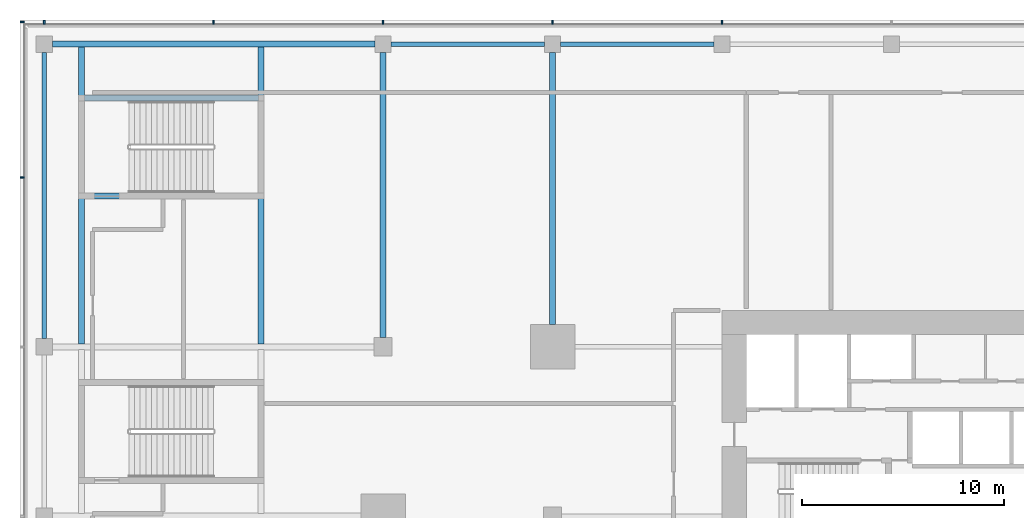
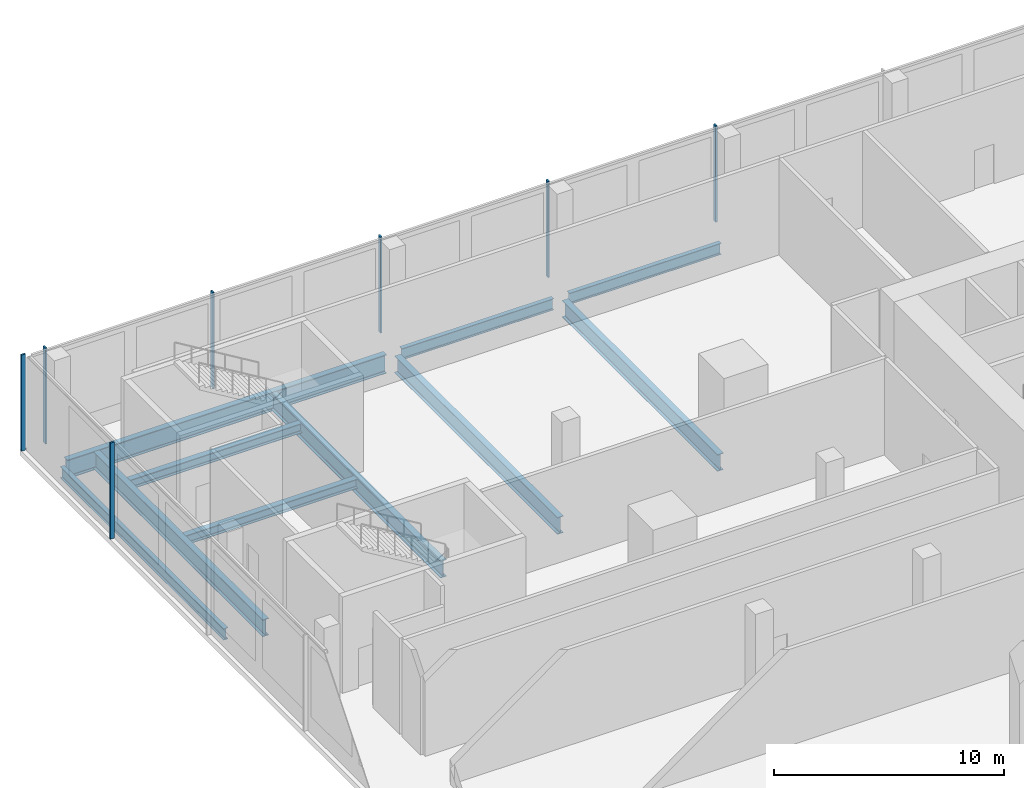
# One storey, part 17 of 39: 10 beams, 7 members, 2 elements without a shape of their own.
"""IFC4 building model written with IfcOpenShell, lengths in metres."""

import ifcopenshell
import ifcopenshell.guid

model = None  # the IFC model being written
_history = None  # IfcOwnerHistory: only IFC2X3 demands one
_inside = {}  # id of a spatial element -> (the spatial element, [elements in it])
_under = {}  # id of a project, library or spatial element -> (it, [spatial elements below it])
_declared = {}  # id of a project -> (the project, [libraries it declares])
_typed = {}  # id of a type object -> (the type object, [elements of that type])
_made_of = {}  # id of a material, layer set ... -> (it, [elements and type objects made of it])


def new_model(schema):
    """Start an empty IFC model of exactly this schema.

    Asked for "IFC4X3", IfcOpenShell would pick the latest addendum, in which some entities
    have other attributes; the version numbers below select the first issue.
    IFC2X3 requires an IfcOwnerHistory on every rooted entity: one is made here for all.
    """
    global model, _history
    if schema == "IFC4X3":
        model = ifcopenshell.file(schema_version=(4, 3, 0, 0))
    else:
        model = ifcopenshell.file(schema=schema)
    _inside.clear()
    _under.clear()
    _declared.clear()
    _typed.clear()
    _made_of.clear()
    _history = None
    if model.schema == "IFC2X3":
        org = make("IfcOrganization", Name="unknown")
        user = make(
            "IfcPersonAndOrganization",
            ThePerson=make("IfcPerson", FamilyName="unknown"),
            TheOrganization=org,
        )
        app = make(
            "IfcApplication",
            ApplicationDeveloper=org,
            Version="unknown",
            ApplicationFullName="unknown",
            ApplicationIdentifier="unknown",
        )
        _history = make(
            "IfcOwnerHistory",
            OwningUser=user,
            OwningApplication=app,
            ChangeAction="ADDED",
            CreationDate=0,
        )
    return model


def make(cls, **values):
    """One entity of the class cls with the attributes given. An attribute that is None is left unset."""
    return model.create_entity(
        cls, **{name: value for name, value in values.items() if value is not None}
    )


def rooted(cls, **values):
    """An entity with a GlobalId (a new one), such as an element, a storey or a relation."""
    return make(cls, GlobalId=ifcopenshell.guid.new(), OwnerHistory=_history, **values)


def si_unit(unit_type, name, prefix=None):
    """IfcSIUnit, for example si_unit("LENGTHUNIT", "METRE", prefix="MILLI")."""
    return make("IfcSIUnit", UnitType=unit_type, Prefix=prefix, Name=name)


def assignment(units):
    """IfcUnitAssignment: the units of a project."""
    return None if units is None else make("IfcUnitAssignment", Units=units)


def point(xyz):
    """IfcCartesianPoint."""
    return None if xyz is None else make("IfcCartesianPoint", Coordinates=xyz)


def direction(xyz):
    """IfcDirection."""
    return None if xyz is None else make("IfcDirection", DirectionRatios=xyz)


def frame(location, z_axis=None, x_axis=None):
    """IfcAxis2Placement3D, a coordinate frame: its origin and axes. An axis left out is left unset."""
    return make(
        "IfcAxis2Placement3D",
        Location=point(location),
        Axis=direction(z_axis),
        RefDirection=direction(x_axis),
    )


def frame_2d(location, x_axis=None):
    """IfcAxis2Placement2D, a coordinate frame in the plane: its origin and x axis."""
    return make(
        "IfcAxis2Placement2D", Location=point(location), RefDirection=direction(x_axis)
    )


def origin():
    """The frame at (0, 0, 0) with its axes left unset."""
    return frame((0.0, 0.0, 0.0))


def origin_2d():
    """The frame at (0, 0) in the plane with its x axis left unset."""
    return frame_2d((0.0, 0.0))


def place(relative_to, where):
    """IfcLocalPlacement: puts the frame where relative to a parent placement (None: the world)."""
    return make(
        "IfcLocalPlacement", PlacementRelTo=relative_to, RelativePlacement=where
    )


def context(
    kind, dimensions, precision=None, world=None, true_north=None, identifier=None
):
    """IfcGeometricRepresentationContext, for example the 3D "Model" context."""
    return make(
        "IfcGeometricRepresentationContext",
        ContextIdentifier=identifier,
        ContextType=kind,
        CoordinateSpaceDimension=dimensions,
        Precision=precision,
        WorldCoordinateSystem=world,
        TrueNorth=true_north,
    )


def subcontext(parent, identifier, kind, view, scale=None):
    """IfcGeometricRepresentationSubContext, for example "Body" below "Model"."""
    return make(
        "IfcGeometricRepresentationSubContext",
        ContextIdentifier=identifier,
        ContextType=kind,
        ParentContext=parent,
        TargetScale=scale,
        TargetView=view,
    )


def project(units=None, contexts=None):
    """IfcProject with its units and contexts."""
    return rooted(
        "IfcProject",
        Name="project",
        RepresentationContexts=contexts,
        UnitsInContext=assignment(units),
    )


def spatial(cls, under=None, at=None, **own):
    """A site, building, storey or space (cls), placed at a placement, below another one or the project."""
    s = rooted(cls, ObjectPlacement=at, **own)
    if under is not None:
        _under.setdefault(under.id(), (under, []))[1].append(s)
    return s


def profile(cls, at=None, kind="AREA", **sizes):
    """A parametric profile (cls). Its sizes go by their IFC names, for example OverallWidth=200.0."""
    return make(cls, ProfileType=kind, Position=at, **sizes)


def rectangle(**sizes):
    """IfcRectangleProfileDef."""
    return profile("IfcRectangleProfileDef", **sizes)


def i_section(**sizes):
    """IfcIShapeProfileDef."""
    return profile("IfcIShapeProfileDef", **sizes)


def extrude(swept, where, along, depth):
    """IfcExtrudedAreaSolid: the profile swept, set in the frame where, extruded along a direction by depth."""
    return make(
        "IfcExtrudedAreaSolid",
        SweptArea=swept,
        Position=where,
        ExtrudedDirection=direction(along),
        Depth=depth,
    )


def shape(context_of_items, identifier, shape_type, items):
    """IfcShapeRepresentation: the items that make up one representation, for example the "Body"."""
    return make(
        "IfcShapeRepresentation",
        ContextOfItems=context_of_items,
        RepresentationIdentifier=identifier,
        RepresentationType=shape_type,
        Items=items,
    )


def material(Name=None, Category=None):
    """IfcMaterial."""
    return make("IfcMaterial", Name=Name, Category=Category)


def material_profile(
    of_material, cross_section, Name=None, Category=None, Priority=None
):
    """IfcMaterialProfile: a cross section and its material."""
    return make(
        "IfcMaterialProfile",
        Name=Name,
        Material=of_material,
        Profile=cross_section,
        Priority=Priority,
        Category=Category,
    )


def profile_set(profiles, Name=None, composite=None):
    """IfcMaterialProfileSet."""
    return make(
        "IfcMaterialProfileSet",
        Name=Name,
        MaterialProfiles=profiles,
        CompositeProfile=composite,
    )


def made_of(thing, what):
    """Note that an element or type object is made of a material, layer set ...; save() writes the relation."""
    if what is not None:
        _made_of.setdefault(what.id(), (what, []))[1].append(thing)
    return thing


def type_object(cls, material=None, **own):
    """A type object (cls), such as IfcWallType, which elements share."""
    return made_of(rooted(cls, **own), material)


def element(
    cls,
    number,
    at=None,
    inside=None,
    cuts=None,
    type_object=None,
    material=None,
    context=None,
    identifier="Body",
    shape_type=None,
    held_by="IfcProductDefinitionShape",
    body=None,
    shapes=None,
    **own,
):
    """One element of the class cls, such as IfcWall. Its Tag is "e" and its number.

    at: its placement. inside: the storey or other place that contains it. cuts: it is an
    opening in that element (IfcRelVoidsElement). A single representation is given by context,
    identifier, shape_type and body (its items); several are given by shapes. held_by: the class
    of the entity that holds the representations. save() writes the other relations.
    """
    e = rooted(cls, Tag="e%d" % number, ObjectPlacement=at, **own)
    if body is not None:
        shapes = [shape(context, identifier, shape_type, body)]
    if shapes is not None:
        e.Representation = make(held_by, Representations=shapes)
    if inside is not None:
        _inside.setdefault(inside.id(), (inside, []))[1].append(e)
    if cuts is not None:
        rooted(
            "IfcRelVoidsElement", RelatingBuildingElement=cuts, RelatedOpeningElement=e
        )
    if type_object is not None:
        _typed.setdefault(type_object.id(), (type_object, []))[1].append(e)
    return made_of(e, material)


def aggregate(whole, parts):
    """IfcRelAggregates: a whole, such as a stair, and the parts it consists of."""
    return rooted("IfcRelAggregates", RelatingObject=whole, RelatedObjects=parts)


def save(model, path):
    """Write the relations noted so far, then the file.

    IfcRelAggregates (storeys below a building ...), IfcRelContainedInSpatialStructure (elements
    in a storey), IfcRelDefinesByType, IfcRelAssociatesMaterial and IfcRelDeclares: one each for
    every whole, place, type object, material and project.
    """
    for whole, parts in _under.values():
        aggregate(whole, parts)
    for where, things in _inside.values():
        rooted(
            "IfcRelContainedInSpatialStructure",
            RelatedElements=things,
            RelatingStructure=where,
        )
    for kind, things in _typed.values():
        rooted("IfcRelDefinesByType", RelatedObjects=things, RelatingType=kind)
    for what, things in _made_of.values():
        rooted("IfcRelAssociatesMaterial", RelatedObjects=things, RelatingMaterial=what)
    for by, libraries in _declared.values():
        rooted("IfcRelDeclares", RelatingContext=by, RelatedDefinitions=libraries)
    model.write(path)


model = new_model("IFC4")

# Units and contexts
model_context = context("Model", 3, precision=1e-05, world=origin(), true_north=direction((0.0, 1.0)))
body_context = subcontext(model_context, "Body", "Model", "MODEL_VIEW")
ifc_project = project(units=[si_unit("LENGTHUNIT", "METRE"), si_unit("AREAUNIT", "SQUARE_METRE"), si_unit("VOLUMEUNIT", "CUBIC_METRE"), si_unit("PLANEANGLEUNIT", "RADIAN"), si_unit("MASSUNIT", "GRAM", prefix="KILO")], contexts=[model_context])

# Site, building, storey
site_placement = place(None, origin())
site = spatial("IfcSite", under=ifc_project, at=site_placement, CompositionType="ELEMENT")
building_placement = place(site_placement, origin())
building = spatial("IfcBuilding", under=site, at=building_placement, Name="Saffron Gate Tower", CompositionType="ELEMENT")
storey_placement = place(building_placement, frame((0.0, 0.0, 9.0)))
storey = spatial("IfcBuildingStorey", under=building, at=storey_placement, Name="L01", CompositionType="ELEMENT", Elevation=9.0)

# Beams
ifc_material_1 = material(Name="Structural steel S355", Category="steel")
ifc_material_profile_1 = material_profile(ifc_material_1, i_section(OverallWidth=0.219970703125, OverallDepth=0.60009765625, WebThickness=0.011962890625, FlangeThickness=0.01904296875, FilletRadius=0.02392578125, at=origin_2d()))
ifc_profile_set_1 = profile_set([ifc_material_profile_1], Name="Structural steel S355")
beam_type_1 = type_object("IfcBeamType", Name="B15 IPE 600", PredefinedType="BEAM", material=ifc_profile_set_1)
beam_1_placement = place(storey_placement, frame((50.199951171875, 88.800048828125, -0.60009765625), z_axis=(1.0, 0.0, 0.0), x_axis=(0.0, 1.0, 0.0)))
element("IfcBeam", 1, at=beam_1_placement, inside=storey, type_object=beam_type_1, Name="B15 PODIUM EDGE BEAM", PredefinedType="BEAM", context=body_context, shape_type="SweptSolid", body=[
    extrude(i_section(OverallWidth=0.219970703125, OverallDepth=0.60009765625, WebThickness=0.011962890625, FlangeThickness=0.01904296875, FilletRadius=0.02392578125, at=origin_2d()), origin(), (0.0, 0.0, 1.0), 7.60009765625),
])
beam_2_placement = place(storey_placement, frame((58.60009765625, 88.800048828125, -0.60009765625), z_axis=(1.0, 0.0, 0.0), x_axis=(0.0, 1.0, 0.0)))
element("IfcBeam", 2, at=beam_2_placement, inside=storey, type_object=beam_type_1, Name="B15 PODIUM EDGE BEAM", PredefinedType="BEAM", context=body_context, shape_type="SweptSolid", body=[
    extrude(i_section(OverallWidth=0.219970703125, OverallDepth=0.60009765625, WebThickness=0.011962890625, FlangeThickness=0.01904296875, FilletRadius=0.02392578125, at=origin_2d()), origin(), (0.0, 0.0, 1.0), 7.599853515625),
])
beam_3_placement = place(storey_placement, frame((33.0, 74.199951171875, -0.60009765625), z_axis=(0.0, 1.0, 0.0), x_axis=(-1.0, 0.0, 0.0)))
element("IfcBeam", 3, at=beam_3_placement, inside=storey, type_object=beam_type_1, Name="B15 PODIUM EDGE BEAM", PredefinedType="BEAM", context=body_context, shape_type="SweptSolid", body=[
    extrude(i_section(OverallWidth=0.219970703125, OverallDepth=0.60009765625, WebThickness=0.011962890625, FlangeThickness=0.01904296875, FilletRadius=0.02392578125, at=origin_2d()), origin(), (0.0, 0.0, 1.0), 14.199951171875),
])
ifc_material_profile_2 = material_profile(ifc_material_1, i_section(OverallWidth=0.300048828125, OverallDepth=0.889892578125, WebThickness=0.01611328125, FlangeThickness=0.030029296875, FilletRadius=0.030029296875, at=origin_2d()))
ifc_profile_set_2 = profile_set([ifc_material_profile_2], Name="Structural steel S355")
beam_type_2 = type_object("IfcBeamType", Name="B19 HEA 900", PredefinedType="BEAM", material=ifc_profile_set_2)
beam_4_placement = place(storey_placement, frame((49.800048828125, 88.39990234375, -0.7451171875), z_axis=(0.0, -1.0, 0.0), x_axis=(1.0, 0.0, 0.0)))
element("IfcBeam", 4, at=beam_4_placement, inside=storey, type_object=beam_type_2, Name="B19 PODIUM RING GIRDER", PredefinedType="BEAM", context=body_context, shape_type="SweptSolid", body=[
    extrude(i_section(OverallWidth=0.300048828125, OverallDepth=0.889892578125, WebThickness=0.01611328125, FlangeThickness=0.030029296875, FilletRadius=0.030029296875, at=origin_2d()), origin(), (0.0, 0.0, 1.0), 14.14990234375),
])
beam_5_placement = place(storey_placement, frame((58.199951171875, 88.39990234375, -0.7451171875), z_axis=(0.0, -1.0, 0.0), x_axis=(1.0, 0.0, 0.0)))
element("IfcBeam", 5, at=beam_5_placement, inside=storey, type_object=beam_type_2, Name="B19 PODIUM RING GIRDER", PredefinedType="BEAM", context=body_context, shape_type="SweptSolid", body=[
    extrude(i_section(OverallWidth=0.300048828125, OverallDepth=0.889892578125, WebThickness=0.01611328125, FlangeThickness=0.030029296875, FilletRadius=0.030029296875, at=origin_2d()), origin(), (0.0, 0.0, 1.0), 13.5),
])
ifc_material_profile_3 = material_profile(ifc_material_1, i_section(OverallWidth=0.300048828125, OverallDepth=0.89990234375, WebThickness=0.0185546875, FlangeThickness=0.034912109375, FilletRadius=0.030029296875, at=origin_2d()))
ifc_profile_set_3 = profile_set([ifc_material_profile_3], Name="Structural steel S355")
beam_type_3 = type_object("IfcBeamType", Name="B20 HEB 900", PredefinedType="BEAM", material=ifc_profile_set_3)
for number, where, z_axis, x_axis, name in (
    (6, (34.85009765625, 73.93994140625, -0.75), (0.0, 1.0, 0.0), (-1.0, 0.0, 0.0), "B20 STAIR ENCLOSURE HEADER BEAM"),
    (7, (43.75, 73.93994140625, -0.75), (0.0, 1.0, 0.0), (-1.0, 0.0, 0.0), "B20 STAIR ENCLOSURE HEADER BEAM"),
):
    element("IfcBeam", number, at=place(storey_placement, frame(where, z_axis=z_axis, x_axis=x_axis)), inside=storey, type_object=beam_type_3, Name=name, PredefinedType="BEAM", context=body_context, shape_type="SweptSolid", body=[
        extrude(i_section(OverallWidth=0.300048828125, OverallDepth=0.89990234375, WebThickness=0.0185546875, FlangeThickness=0.034912109375, FilletRadius=0.030029296875, at=origin_2d()), origin(), (0.0, 0.0, 1.0), 14.719970703125),
    ])
ifc_material_profile_4 = material_profile(ifc_material_1, i_section(OverallWidth=0.300048828125, OverallDepth=0.989990234375, WebThickness=0.0166015625, FlangeThickness=0.031005859375, FilletRadius=0.030029296875, at=origin_2d()))
ifc_profile_set_4 = profile_set([ifc_material_profile_4], Name="Structural steel S355")
beam_type_4 = type_object("IfcBeamType", Name="B21 HEA 1000", PredefinedType="BEAM", material=ifc_profile_set_4)
beam_6_placement = place(storey_placement, frame((33.39990234375, 88.800048828125, -0.794921875), z_axis=(1.0, 0.0, 0.0), x_axis=(0.0, 1.0, 0.0)))
element("IfcBeam", 8, at=beam_6_placement, inside=storey, type_object=beam_type_4, Name="B21 PODIUM EDGE BEAM", PredefinedType="BEAM", context=body_context, shape_type="SweptSolid", body=[
    extrude(i_section(OverallWidth=0.300048828125, OverallDepth=0.989990234375, WebThickness=0.0166015625, FlangeThickness=0.031005859375, FilletRadius=0.030029296875, at=origin_2d()), origin(), (0.0, 0.0, 1.0), 16.0),
])
ifc_material_profile_5 = material_profile(ifc_material_1, i_section(OverallWidth=0.300048828125, OverallDepth=0.5, WebThickness=0.014404296875, FlangeThickness=0.028076171875, FilletRadius=0.027099609375, at=origin_2d()))
ifc_profile_set_5 = profile_set([ifc_material_profile_5], Name="Structural steel S355")
beam_type_5 = type_object("IfcBeamType", Name="B9 HEB 500", PredefinedType="BEAM", material=ifc_profile_set_5)
for number, where, z_axis, x_axis, name in (
    (9, (34.989990234375, 81.27490234375, -0.550048828125), (1.0, 0.0, 0.0), (0.0, 1.0, 0.0), "B9 STAIR ENCLOSURE TRIMMER BEAM"),
    (10, (34.989990234375, 86.125, -0.550048828125), (1.0, 0.0, 0.0), (0.0, 1.0, 0.0), "B9 STAIR ENCLOSURE TRIMMER BEAM"),
):
    element("IfcBeam", number, at=place(storey_placement, frame(where, z_axis=z_axis, x_axis=x_axis)), inside=storey, type_object=beam_type_5, Name=name, PredefinedType="BEAM", context=body_context, shape_type="SweptSolid", body=[
        extrude(i_section(OverallWidth=0.300048828125, OverallDepth=0.5, WebThickness=0.014404296875, FlangeThickness=0.028076171875, FilletRadius=0.027099609375, at=origin_2d()), origin(), (0.0, 0.0, 1.0), 8.6201171875),
    ])

# Curtain wall, members
ifc_material_2 = material(Name="Aluminium, bronze anodised", Category="aluminium")
curtain_wall_type = type_object("IfcCurtainWallType", Name="CWS5 curtain wall podium ring base", PredefinedType="NOTDEFINED", material=ifc_material_2)
curtain_wall_1_placement = place(storey_placement, origin())
curtain_wall_1 = element("IfcCurtainWall", 11, at=curtain_wall_1_placement, inside=storey, type_object=curtain_wall_type, Name="CWS5 run 3", PredefinedType="NOTDEFINED")
ifc_material_profile_6 = material_profile(ifc_material_2, rectangle(XDim=0.199951171875, YDim=0.080078125, at=origin_2d()))
ifc_profile_set_6 = profile_set([ifc_material_profile_6], Name="Aluminium, bronze anodised")
member_type = type_object("IfcMemberType", Name="CWS5 mullion 80x200", PredefinedType="MULLION", material=ifc_profile_set_6)
member_1_placement = place(storey_placement, frame((66.60009765625, 89.89990234375, 0.0), z_axis=(0.0, 0.0, 1.0), x_axis=(0.0, -1.0, 0.0)))
member_1 = element("IfcMember", 12, at=member_1_placement, type_object=member_type, Name="CWS5 mullion 11", PredefinedType="MULLION", context=body_context, shape_type="SweptSolid", body=[
    extrude(rectangle(XDim=0.199951171875, YDim=0.080078125, at=origin_2d()), origin(), (0.0, 0.0, 1.0), 5.10009765625),
])
member_2_placement = place(storey_placement, frame((58.199951171875, 89.89990234375, 0.0), z_axis=(0.0, 0.0, 1.0), x_axis=(0.0, -1.0, 0.0)))
member_2 = element("IfcMember", 13, at=member_2_placement, type_object=member_type, Name="CWS5 mullion 12", PredefinedType="MULLION", context=body_context, shape_type="SweptSolid", body=[
    extrude(rectangle(XDim=0.199951171875, YDim=0.080078125, at=origin_2d()), origin(), (0.0, 0.0, 1.0), 5.10009765625),
])
member_3_placement = place(storey_placement, frame((49.800048828125, 89.89990234375, 0.0), z_axis=(0.0, 0.0, 1.0), x_axis=(0.0, -1.0, 0.0)))
member_3 = element("IfcMember", 14, at=member_3_placement, type_object=member_type, Name="CWS5 mullion 13", PredefinedType="MULLION", context=body_context, shape_type="SweptSolid", body=[
    extrude(rectangle(XDim=0.199951171875, YDim=0.080078125, at=origin_2d()), origin(), (0.0, 0.0, 1.0), 5.10009765625),
])
member_4_placement = place(storey_placement, frame((41.39990234375, 89.89990234375, 0.0), z_axis=(0.0, 0.0, 1.0), x_axis=(0.0, -1.0, 0.0)))
member_4 = element("IfcMember", 15, at=member_4_placement, type_object=member_type, Name="CWS5 mullion 14", PredefinedType="MULLION", context=body_context, shape_type="SweptSolid", body=[
    extrude(rectangle(XDim=0.199951171875, YDim=0.080078125, at=origin_2d()), origin(), (0.0, 0.0, 1.0), 5.10009765625),
])
member_5_placement = place(storey_placement, frame((33.0, 89.89990234375, 0.0), z_axis=(0.0, 0.0, 1.0), x_axis=(0.0, -1.0, 0.0)))
member_5 = element("IfcMember", 16, at=member_5_placement, type_object=member_type, Name="CWS5 mullion 15", PredefinedType="MULLION", context=body_context, shape_type="SweptSolid", body=[
    extrude(rectangle(XDim=0.199951171875, YDim=0.080078125, at=origin_2d()), origin(), (0.0, 0.0, 1.0), 5.10009765625),
])
aggregate(curtain_wall_1, [member_1, member_2, member_3, member_4, member_5])

curtain_wall_2_placement = place(storey_placement, origin())
curtain_wall_2 = element("IfcCurtainWall", 17, at=curtain_wall_2_placement, inside=storey, type_object=curtain_wall_type, Name="CWS5 run 4", PredefinedType="NOTDEFINED")
member_6_placement = place(storey_placement, frame((31.89990234375, 89.89990234375, 0.0), z_axis=(0.0, 0.0, 1.0), x_axis=(1.0, 0.0, 0.0)))
member_6 = element("IfcMember", 18, at=member_6_placement, type_object=member_type, Name="CWS5 mullion 1", PredefinedType="MULLION", context=body_context, shape_type="SweptSolid", body=[
    extrude(rectangle(XDim=0.199951171875, YDim=0.080078125, at=origin_2d()), origin(), (0.0, 0.0, 1.0), 5.10009765625),
])
member_7_placement = place(storey_placement, frame((31.89990234375, 82.199951171875, 0.0), z_axis=(0.0, 0.0, 1.0), x_axis=(1.0, 0.0, 0.0)))
member_7 = element("IfcMember", 19, at=member_7_placement, type_object=member_type, Name="CWS5 mullion 2", PredefinedType="MULLION", context=body_context, shape_type="SweptSolid", body=[
    extrude(rectangle(XDim=0.199951171875, YDim=0.080078125, at=origin_2d()), origin(), (0.0, 0.0, 1.0), 5.10009765625),
])
aggregate(curtain_wall_2, [member_6, member_7])

save(model, "model.ifc")
